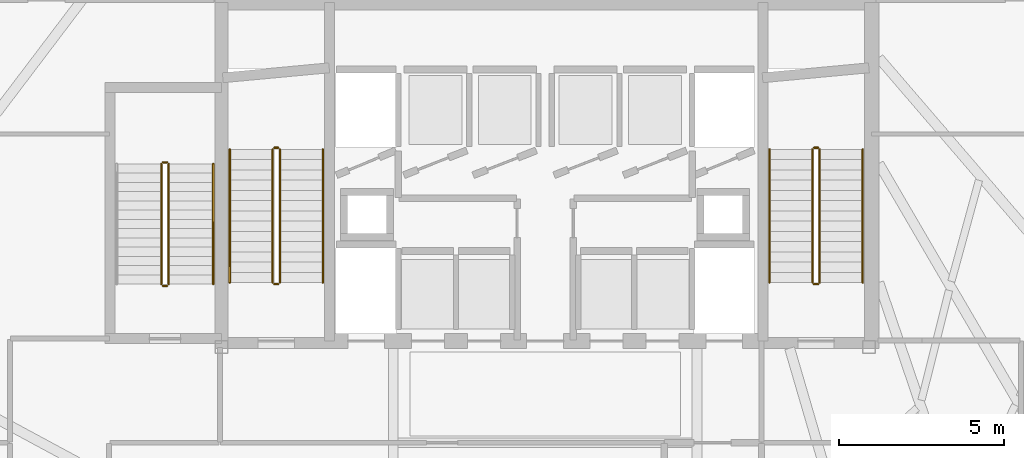
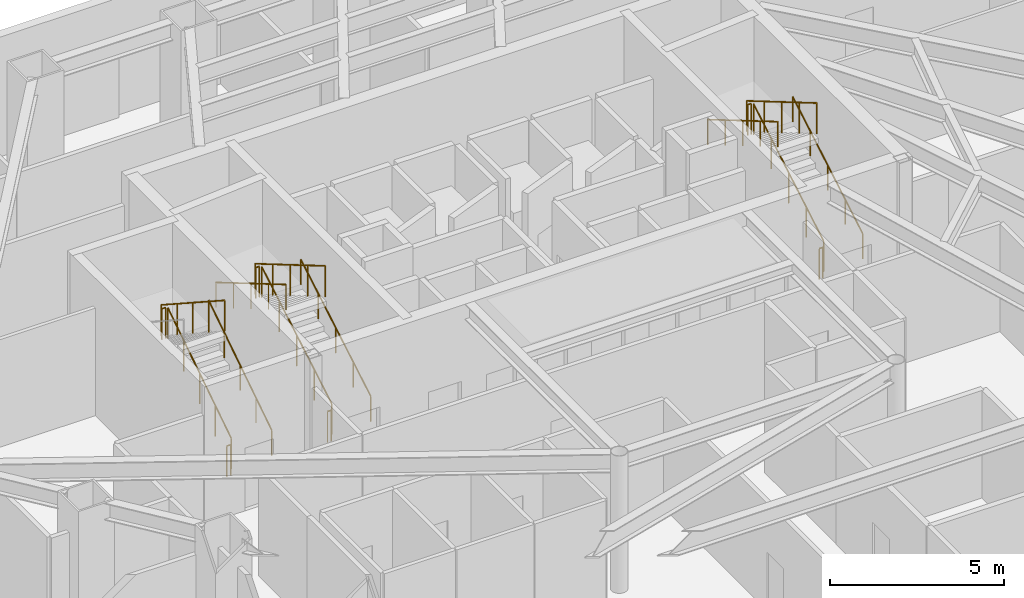
# One storey, part 29 of 31: 17 railings.
"""IFC4 building model written with IfcOpenShell, lengths in metres."""

from ifc_helpers import new_model, si_unit, direction, frame, origin, origin_2d, place, context, subcontext, project, spatial, circle, extrude, material, type_object, element, save


model = new_model("IFC4")

# Units and contexts
model_context = context("Model", 3, precision=1e-05, world=origin(), true_north=direction((0.0, 1.0)))
body_context = subcontext(model_context, "Body", "Model", "MODEL_VIEW")
ifc_project = project(units=[si_unit("LENGTHUNIT", "METRE"), si_unit("AREAUNIT", "SQUARE_METRE"), si_unit("VOLUMEUNIT", "CUBIC_METRE"), si_unit("PLANEANGLEUNIT", "RADIAN"), si_unit("MASSUNIT", "GRAM", prefix="KILO")], contexts=[model_context])

# Site, building, storey
site_placement = place(None, origin())
site = spatial("IfcSite", under=ifc_project, at=site_placement, CompositionType="ELEMENT")
building_placement = place(site_placement, origin())
building = spatial("IfcBuilding", under=site, at=building_placement, Name="Zarrinselat Tower", CompositionType="ELEMENT")
storey_placement = place(building_placement, origin())
storey = spatial("IfcBuildingStorey", under=building, at=storey_placement, Name="L00", CompositionType="ELEMENT", Elevation=0.0)

# Railings
ifc_material_1 = material(Name="Steel S355J2", Category="steel")
railing_type_1 = type_object("IfcRailingType", Name="RLG-STAIR-GUARD", PredefinedType="GUARDRAIL", material=ifc_material_1)
railing_1_placement = place(storey_placement, frame((30.3701171875, 35.0, 0.18212890625)))
element("IfcRailing", 1, at=railing_1_placement, inside=storey, type_object=railing_type_1, Name="L00 ST-1 stair guard 1", PredefinedType="GUARDRAIL", context=body_context, shape_type="SweptSolid", body=[
    extrude(circle(Radius=0.02392578125, at=origin_2d()), frame((0.0, 0.0, 1.076171875), z_axis=(0.0, 0.862185196574, 0.506593216307), x_axis=(-1.0, 0.0, 0.0)), (0.0, 0.0, 1.0), 4.67431640625),
    extrude(circle(Radius=0.02099609375, at=origin_2d()), origin(), (0.0, 0.0, 1.0), 1.050048828125),
    extrude(circle(Radius=0.02099609375, at=origin_2d()), frame((0.0, 1.007568359375, 0.592041015625)), (0.0, 0.0, 1.0), 1.050048828125),
    extrude(circle(Radius=0.02099609375, at=origin_2d()), frame((0.0, 2.01513671875, 1.18408203125)), (0.0, 0.0, 1.0), 1.050048828125),
    extrude(circle(Radius=0.02099609375, at=origin_2d()), frame((0.0, 3.0224609375, 1.77587890625)), (0.0, 0.0, 1.0), 1.050048828125),
    extrude(circle(Radius=0.02099609375, at=origin_2d()), frame((0.0, 4.030029296875, 2.367919921875)), (0.0, 0.0, 1.0), 1.050048828125),
])
railing_2_placement = place(storey_placement, frame((30.320068359375, 39.080078125, 2.550048828125)))
element("IfcRailing", 2, at=railing_2_placement, inside=storey, type_object=railing_type_1, Name="L00 ST-1 stair guard 2", PredefinedType="GUARDRAIL", context=body_context, shape_type="SweptSolid", body=[
    extrude(circle(Radius=0.02392578125, at=origin_2d()), frame((0.0, 0.0, 1.076171875), z_axis=(-1.0, 0.0, 0.0), x_axis=(0.0, -1.0, 0.0)), (0.0, 0.0, 1.0), 0.1201171875),
    extrude(circle(Radius=0.02099609375, at=origin_2d()), origin(), (0.0, 0.0, 1.0), 1.050048828125),
    extrude(circle(Radius=0.02099609375, at=origin_2d()), frame((-0.1201171875, 0.0, 0.0)), (0.0, 0.0, 1.0), 1.050048828125),
])
railing_3_placement = place(storey_placement, frame((30.14990234375, 39.030029296875, 2.732177734375)))
element("IfcRailing", 3, at=railing_3_placement, inside=storey, type_object=railing_type_1, Name="L00 ST-1 stair guard 3", PredefinedType="GUARDRAIL", context=body_context, shape_type="SweptSolid", body=[
    extrude(circle(Radius=0.02392578125, at=origin_2d()), frame((0.0, 0.0, 1.076171875), z_axis=(0.0, -0.862185196574, 0.506593216307), x_axis=(1.0, 0.0, 0.0)), (0.0, 0.0, 1.0), 4.67431640625),
    extrude(circle(Radius=0.02099609375, at=origin_2d()), origin(), (0.0, 0.0, 1.0), 1.050048828125),
    extrude(circle(Radius=0.02099609375, at=origin_2d()), frame((0.0, -1.007568359375, 0.592041015625)), (0.0, 0.0, 1.0), 1.050048828125),
    extrude(circle(Radius=0.02099609375, at=origin_2d()), frame((0.0, -2.01513671875, 1.18408203125)), (0.0, 0.0, 1.0), 1.050048828125),
    extrude(circle(Radius=0.02099609375, at=origin_2d()), frame((0.0, -3.0224609375, 1.77587890625)), (0.0, 0.0, 1.0), 1.050048828125),
    extrude(circle(Radius=0.02099609375, at=origin_2d()), frame((0.0, -4.030029296875, 2.367919921875)), (0.0, 0.0, 1.0), 1.050048828125),
])
railing_4_placement = place(storey_placement, frame((30.320068359375, 34.949951171875, 0.0)))
element("IfcRailing", 4, at=railing_4_placement, inside=storey, type_object=railing_type_1, Name="L00 ST-1 stair guard 4", PredefinedType="GUARDRAIL", context=body_context, shape_type="SweptSolid", body=[
    extrude(circle(Radius=0.02392578125, at=origin_2d()), frame((0.0, 0.0, 1.076171875), z_axis=(-1.0, 0.0, 0.0), x_axis=(0.0, -1.0, 0.0)), (0.0, 0.0, 1.0), 0.1201171875),
    extrude(circle(Radius=0.02099609375, at=origin_2d()), origin(), (0.0, 0.0, 1.0), 1.050048828125),
    extrude(circle(Radius=0.02099609375, at=origin_2d()), frame((-0.1201171875, 0.0, 0.0)), (0.0, 0.0, 1.0), 1.050048828125),
])
railing_5_placement = place(storey_placement, frame((46.7099609375, 35.0, 0.18212890625)))
element("IfcRailing", 5, at=railing_5_placement, inside=storey, type_object=railing_type_1, Name="L00 ST-2 stair guard 1", PredefinedType="GUARDRAIL", context=body_context, shape_type="SweptSolid", body=[
    extrude(circle(Radius=0.02392578125, at=origin_2d()), frame((0.0, 0.0, 1.076171875), z_axis=(0.0, 0.862185196574, 0.506593216307), x_axis=(-1.0, 0.0, 0.0)), (0.0, 0.0, 1.0), 4.67431640625),
    extrude(circle(Radius=0.02099609375, at=origin_2d()), origin(), (0.0, 0.0, 1.0), 1.050048828125),
    extrude(circle(Radius=0.02099609375, at=origin_2d()), frame((0.0, 1.007568359375, 0.592041015625)), (0.0, 0.0, 1.0), 1.050048828125),
    extrude(circle(Radius=0.02099609375, at=origin_2d()), frame((0.0, 2.01513671875, 1.18408203125)), (0.0, 0.0, 1.0), 1.050048828125),
    extrude(circle(Radius=0.02099609375, at=origin_2d()), frame((0.0, 3.0224609375, 1.77587890625)), (0.0, 0.0, 1.0), 1.050048828125),
    extrude(circle(Radius=0.02099609375, at=origin_2d()), frame((0.0, 4.030029296875, 2.367919921875)), (0.0, 0.0, 1.0), 1.050048828125),
])
railing_6_placement = place(storey_placement, frame((46.659912109375, 39.080078125, 2.550048828125)))
element("IfcRailing", 6, at=railing_6_placement, inside=storey, type_object=railing_type_1, Name="L00 ST-2 stair guard 2", PredefinedType="GUARDRAIL", context=body_context, shape_type="SweptSolid", body=[
    extrude(circle(Radius=0.02392578125, at=origin_2d()), frame((0.0, 0.0, 1.076171875), z_axis=(-1.0, 0.0, 0.0), x_axis=(0.0, -1.0, 0.0)), (0.0, 0.0, 1.0), 0.119873046875),
    extrude(circle(Radius=0.02099609375, at=origin_2d()), origin(), (0.0, 0.0, 1.0), 1.050048828125),
    extrude(circle(Radius=0.02099609375, at=origin_2d()), frame((-0.119873046875, 0.0, 0.0)), (0.0, 0.0, 1.0), 1.050048828125),
])
railing_7_placement = place(storey_placement, frame((46.489990234375, 39.030029296875, 2.732177734375)))
element("IfcRailing", 7, at=railing_7_placement, inside=storey, type_object=railing_type_1, Name="L00 ST-2 stair guard 3", PredefinedType="GUARDRAIL", context=body_context, shape_type="SweptSolid", body=[
    extrude(circle(Radius=0.02392578125, at=origin_2d()), frame((0.0, 0.0, 1.076171875), z_axis=(0.0, -0.862185196574, 0.506593216307), x_axis=(1.0, 0.0, 0.0)), (0.0, 0.0, 1.0), 4.67431640625),
    extrude(circle(Radius=0.02099609375, at=origin_2d()), origin(), (0.0, 0.0, 1.0), 1.050048828125),
    extrude(circle(Radius=0.02099609375, at=origin_2d()), frame((0.0, -1.007568359375, 0.592041015625)), (0.0, 0.0, 1.0), 1.050048828125),
    extrude(circle(Radius=0.02099609375, at=origin_2d()), frame((0.0, -2.01513671875, 1.18408203125)), (0.0, 0.0, 1.0), 1.050048828125),
    extrude(circle(Radius=0.02099609375, at=origin_2d()), frame((0.0, -3.0224609375, 1.77587890625)), (0.0, 0.0, 1.0), 1.050048828125),
    extrude(circle(Radius=0.02099609375, at=origin_2d()), frame((0.0, -4.030029296875, 2.367919921875)), (0.0, 0.0, 1.0), 1.050048828125),
])
railing_8_placement = place(storey_placement, frame((46.659912109375, 34.949951171875, 0.0)))
element("IfcRailing", 8, at=railing_8_placement, inside=storey, type_object=railing_type_1, Name="L00 ST-2 stair guard 4", PredefinedType="GUARDRAIL", context=body_context, shape_type="SweptSolid", body=[
    extrude(circle(Radius=0.02392578125, at=origin_2d()), frame((0.0, 0.0, 1.076171875), z_axis=(-1.0, 0.0, 0.0), x_axis=(0.0, -1.0, 0.0)), (0.0, 0.0, 1.0), 0.119873046875),
    extrude(circle(Radius=0.02099609375, at=origin_2d()), origin(), (0.0, 0.0, 1.0), 1.050048828125),
    extrude(circle(Radius=0.02099609375, at=origin_2d()), frame((-0.119873046875, 0.0, 0.0)), (0.0, 0.0, 1.0), 1.050048828125),
])
railing_9_placement = place(storey_placement, frame((27.0, 34.949951171875, 0.18212890625)))
element("IfcRailing", 9, at=railing_9_placement, inside=storey, type_object=railing_type_1, Name="L00 ST-3 stair guard 1", PredefinedType="GUARDRAIL", context=body_context, shape_type="SweptSolid", body=[
    extrude(circle(Radius=0.02392578125, at=origin_2d()), frame((0.0, 0.0, 1.076171875), z_axis=(0.0, 0.83825089185, 0.545284735081), x_axis=(-1.0, 0.0, 0.0)), (0.0, 0.0, 1.0), 4.342529296875),
    extrude(circle(Radius=0.02099609375, at=origin_2d()), origin(), (0.0, 0.0, 1.0), 1.050048828125),
    extrude(circle(Radius=0.02099609375, at=origin_2d()), frame((0.0, 0.91015625, 0.592041015625)), (0.0, 0.0, 1.0), 1.050048828125),
    extrude(circle(Radius=0.02099609375, at=origin_2d()), frame((0.0, 1.820068359375, 1.18408203125)), (0.0, 0.0, 1.0), 1.050048828125),
    extrude(circle(Radius=0.02099609375, at=origin_2d()), frame((0.0, 2.72998046875, 1.77587890625)), (0.0, 0.0, 1.0), 1.050048828125),
    extrude(circle(Radius=0.02099609375, at=origin_2d()), frame((0.0, 3.64013671875, 2.367919921875)), (0.0, 0.0, 1.0), 1.050048828125),
])
railing_10_placement = place(storey_placement, frame((26.949951171875, 38.639892578125, 2.550048828125)))
element("IfcRailing", 10, at=railing_10_placement, inside=storey, type_object=railing_type_1, Name="L00 ST-3 stair guard 2", PredefinedType="GUARDRAIL", context=body_context, shape_type="SweptSolid", body=[
    extrude(circle(Radius=0.02392578125, at=origin_2d()), frame((0.0, 0.0, 1.076171875), z_axis=(-1.0, 0.0, 0.0), x_axis=(0.0, -1.0, 0.0)), (0.0, 0.0, 1.0), 0.119873046875),
    extrude(circle(Radius=0.02099609375, at=origin_2d()), origin(), (0.0, 0.0, 1.0), 1.050048828125),
    extrude(circle(Radius=0.02099609375, at=origin_2d()), frame((-0.119873046875, 0.0, 0.0)), (0.0, 0.0, 1.0), 1.050048828125),
])
railing_11_placement = place(storey_placement, frame((26.780029296875, 38.590087890625, 2.732177734375)))
element("IfcRailing", 11, at=railing_11_placement, inside=storey, type_object=railing_type_1, Name="L00 ST-3 stair guard 3", PredefinedType="GUARDRAIL", context=body_context, shape_type="SweptSolid", body=[
    extrude(circle(Radius=0.02392578125, at=origin_2d()), frame((0.0, 0.0, 1.076171875), z_axis=(0.0, -0.83825089185, 0.545284735081), x_axis=(1.0, 0.0, 0.0)), (0.0, 0.0, 1.0), 4.342529296875),
    extrude(circle(Radius=0.02099609375, at=origin_2d()), origin(), (0.0, 0.0, 1.0), 1.050048828125),
    extrude(circle(Radius=0.02099609375, at=origin_2d()), frame((0.0, -0.91015625, 0.592041015625)), (0.0, 0.0, 1.0), 1.050048828125),
    extrude(circle(Radius=0.02099609375, at=origin_2d()), frame((0.0, -1.820068359375, 1.18408203125)), (0.0, 0.0, 1.0), 1.050048828125),
    extrude(circle(Radius=0.02099609375, at=origin_2d()), frame((0.0, -2.72998046875, 1.77587890625)), (0.0, 0.0, 1.0), 1.050048828125),
    extrude(circle(Radius=0.02099609375, at=origin_2d()), frame((0.0, -3.64013671875, 2.367919921875)), (0.0, 0.0, 1.0), 1.050048828125),
])
railing_12_placement = place(storey_placement, frame((26.949951171875, 34.89990234375, 0.0)))
element("IfcRailing", 12, at=railing_12_placement, inside=storey, type_object=railing_type_1, Name="L00 ST-3 stair guard 4", PredefinedType="GUARDRAIL", context=body_context, shape_type="SweptSolid", body=[
    extrude(circle(Radius=0.02392578125, at=origin_2d()), frame((0.0, 0.0, 1.076171875), z_axis=(-1.0, 0.0, 0.0), x_axis=(0.0, -1.0, 0.0)), (0.0, 0.0, 1.0), 0.119873046875),
    extrude(circle(Radius=0.02099609375, at=origin_2d()), origin(), (0.0, 0.0, 1.0), 1.050048828125),
    extrude(circle(Radius=0.02099609375, at=origin_2d()), frame((-0.119873046875, 0.0, 0.0)), (0.0, 0.0, 1.0), 1.050048828125),
])
ifc_material_2 = material(Name="Steel S355J2", Category="steel")
railing_type_2 = type_object("IfcRailingType", Name="RLG-STAIR-HAND", PredefinedType="HANDRAIL", material=ifc_material_2)
railing_13_placement = place(storey_placement, frame((31.669921875, 35.0, 0.18212890625)))
element("IfcRailing", 13, at=railing_13_placement, inside=storey, type_object=railing_type_2, Name="L00 ST-1 stair handrail 1", PredefinedType="HANDRAIL", context=body_context, shape_type="SweptSolid", body=[
    extrude(circle(Radius=0.02392578125, at=origin_2d()), frame((0.0, 0.0, 0.8759765625), z_axis=(0.0, 0.862185196574, 0.506593216307), x_axis=(-1.0, 0.0, 0.0)), (0.0, 0.0, 1.0), 4.67431640625),
    extrude(circle(Radius=0.02099609375, at=origin_2d()), origin(), (0.0, 0.0, 1.0), 0.849853515625),
    extrude(circle(Radius=0.02099609375, at=origin_2d()), frame((0.0, 1.007568359375, 0.592041015625)), (0.0, 0.0, 1.0), 0.849853515625),
    extrude(circle(Radius=0.02099609375, at=origin_2d()), frame((0.0, 2.01513671875, 1.18408203125)), (0.0, 0.0, 1.0), 0.849853515625),
    extrude(circle(Radius=0.02099609375, at=origin_2d()), frame((0.0, 3.0224609375, 1.77587890625)), (0.0, 0.0, 1.0), 0.849853515625),
    extrude(circle(Radius=0.02099609375, at=origin_2d()), frame((0.0, 4.030029296875, 2.367919921875)), (0.0, 0.0, 1.0), 0.849853515625),
])
railing_14_placement = place(storey_placement, frame((28.85009765625, 39.030029296875, 2.732177734375)))
element("IfcRailing", 14, at=railing_14_placement, inside=storey, type_object=railing_type_2, Name="L00 ST-1 stair handrail 2", PredefinedType="HANDRAIL", context=body_context, shape_type="SweptSolid", body=[
    extrude(circle(Radius=0.02392578125, at=origin_2d()), frame((0.0, 0.0, 0.8759765625), z_axis=(0.0, -0.862185196574, 0.506593216307), x_axis=(1.0, 0.0, 0.0)), (0.0, 0.0, 1.0), 4.67431640625),
    extrude(circle(Radius=0.02099609375, at=origin_2d()), origin(), (0.0, 0.0, 1.0), 0.849853515625),
    extrude(circle(Radius=0.02099609375, at=origin_2d()), frame((0.0, -1.007568359375, 0.592041015625)), (0.0, 0.0, 1.0), 0.849853515625),
    extrude(circle(Radius=0.02099609375, at=origin_2d()), frame((0.0, -2.01513671875, 1.18408203125)), (0.0, 0.0, 1.0), 0.849853515625),
    extrude(circle(Radius=0.02099609375, at=origin_2d()), frame((0.0, -3.0224609375, 1.77587890625)), (0.0, 0.0, 1.0), 0.849853515625),
    extrude(circle(Radius=0.02099609375, at=origin_2d()), frame((0.0, -4.030029296875, 2.367919921875)), (0.0, 0.0, 1.0), 0.849853515625),
])
railing_15_placement = place(storey_placement, frame((48.010009765625, 35.0, 0.18212890625)))
element("IfcRailing", 15, at=railing_15_placement, inside=storey, type_object=railing_type_2, Name="L00 ST-2 stair handrail 1", PredefinedType="HANDRAIL", context=body_context, shape_type="SweptSolid", body=[
    extrude(circle(Radius=0.02392578125, at=origin_2d()), frame((0.0, 0.0, 0.8759765625), z_axis=(0.0, 0.862185196574, 0.506593216307), x_axis=(-1.0, 0.0, 0.0)), (0.0, 0.0, 1.0), 4.67431640625),
    extrude(circle(Radius=0.02099609375, at=origin_2d()), origin(), (0.0, 0.0, 1.0), 0.849853515625),
    extrude(circle(Radius=0.02099609375, at=origin_2d()), frame((0.0, 1.007568359375, 0.592041015625)), (0.0, 0.0, 1.0), 0.849853515625),
    extrude(circle(Radius=0.02099609375, at=origin_2d()), frame((0.0, 2.01513671875, 1.18408203125)), (0.0, 0.0, 1.0), 0.849853515625),
    extrude(circle(Radius=0.02099609375, at=origin_2d()), frame((0.0, 3.0224609375, 1.77587890625)), (0.0, 0.0, 1.0), 0.849853515625),
    extrude(circle(Radius=0.02099609375, at=origin_2d()), frame((0.0, 4.030029296875, 2.367919921875)), (0.0, 0.0, 1.0), 0.849853515625),
])
railing_16_placement = place(storey_placement, frame((45.18994140625, 39.030029296875, 2.732177734375)))
element("IfcRailing", 16, at=railing_16_placement, inside=storey, type_object=railing_type_2, Name="L00 ST-2 stair handrail 2", PredefinedType="HANDRAIL", context=body_context, shape_type="SweptSolid", body=[
    extrude(circle(Radius=0.02392578125, at=origin_2d()), frame((0.0, 0.0, 0.8759765625), z_axis=(0.0, -0.862185196574, 0.506593216307), x_axis=(1.0, 0.0, 0.0)), (0.0, 0.0, 1.0), 4.67431640625),
    extrude(circle(Radius=0.02099609375, at=origin_2d()), origin(), (0.0, 0.0, 1.0), 0.849853515625),
    extrude(circle(Radius=0.02099609375, at=origin_2d()), frame((0.0, -1.007568359375, 0.592041015625)), (0.0, 0.0, 1.0), 0.849853515625),
    extrude(circle(Radius=0.02099609375, at=origin_2d()), frame((0.0, -2.01513671875, 1.18408203125)), (0.0, 0.0, 1.0), 0.849853515625),
    extrude(circle(Radius=0.02099609375, at=origin_2d()), frame((0.0, -3.0224609375, 1.77587890625)), (0.0, 0.0, 1.0), 0.849853515625),
    extrude(circle(Radius=0.02099609375, at=origin_2d()), frame((0.0, -4.030029296875, 2.367919921875)), (0.0, 0.0, 1.0), 0.849853515625),
])
railing_17_placement = place(storey_placement, frame((28.35009765625, 34.949951171875, 0.18212890625)))
element("IfcRailing", 17, at=railing_17_placement, inside=storey, type_object=railing_type_2, Name="L00 ST-3 stair handrail 1", PredefinedType="HANDRAIL", context=body_context, shape_type="SweptSolid", body=[
    extrude(circle(Radius=0.02392578125, at=origin_2d()), frame((0.0, 0.0, 0.8759765625), z_axis=(0.0, 0.83825089185, 0.545284735081), x_axis=(-1.0, 0.0, 0.0)), (0.0, 0.0, 1.0), 4.342529296875),
    extrude(circle(Radius=0.02099609375, at=origin_2d()), origin(), (0.0, 0.0, 1.0), 0.849853515625),
    extrude(circle(Radius=0.02099609375, at=origin_2d()), frame((0.0, 0.91015625, 0.592041015625)), (0.0, 0.0, 1.0), 0.849853515625),
    extrude(circle(Radius=0.02099609375, at=origin_2d()), frame((0.0, 1.820068359375, 1.18408203125)), (0.0, 0.0, 1.0), 0.849853515625),
    extrude(circle(Radius=0.02099609375, at=origin_2d()), frame((0.0, 2.72998046875, 1.77587890625)), (0.0, 0.0, 1.0), 0.849853515625),
    extrude(circle(Radius=0.02099609375, at=origin_2d()), frame((0.0, 3.64013671875, 2.367919921875)), (0.0, 0.0, 1.0), 0.849853515625),
])

save(model, "model.ifc")
